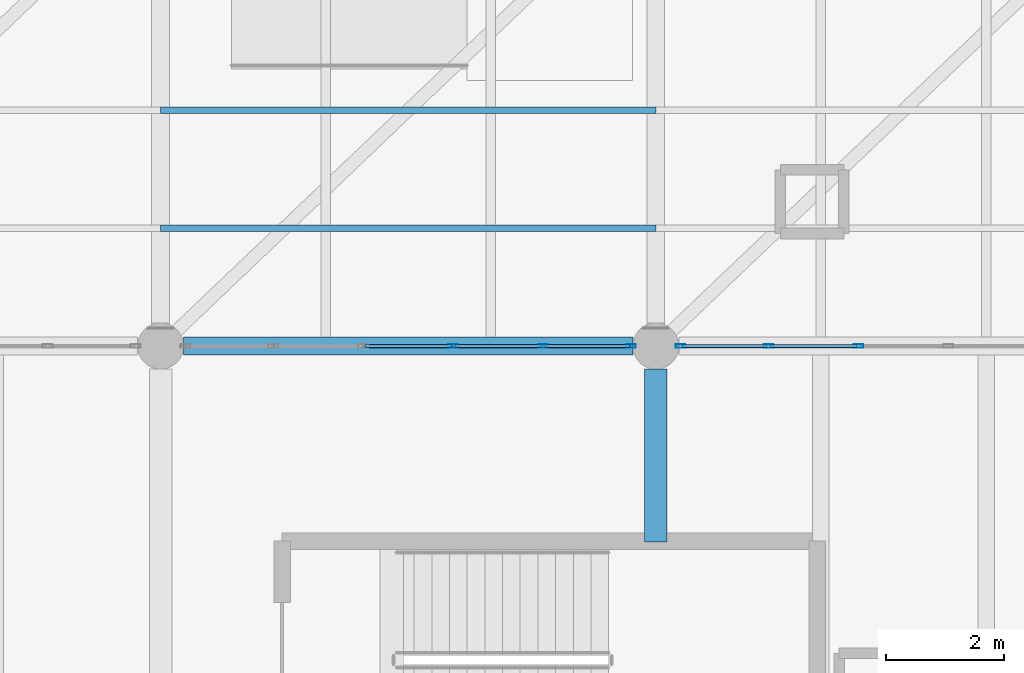
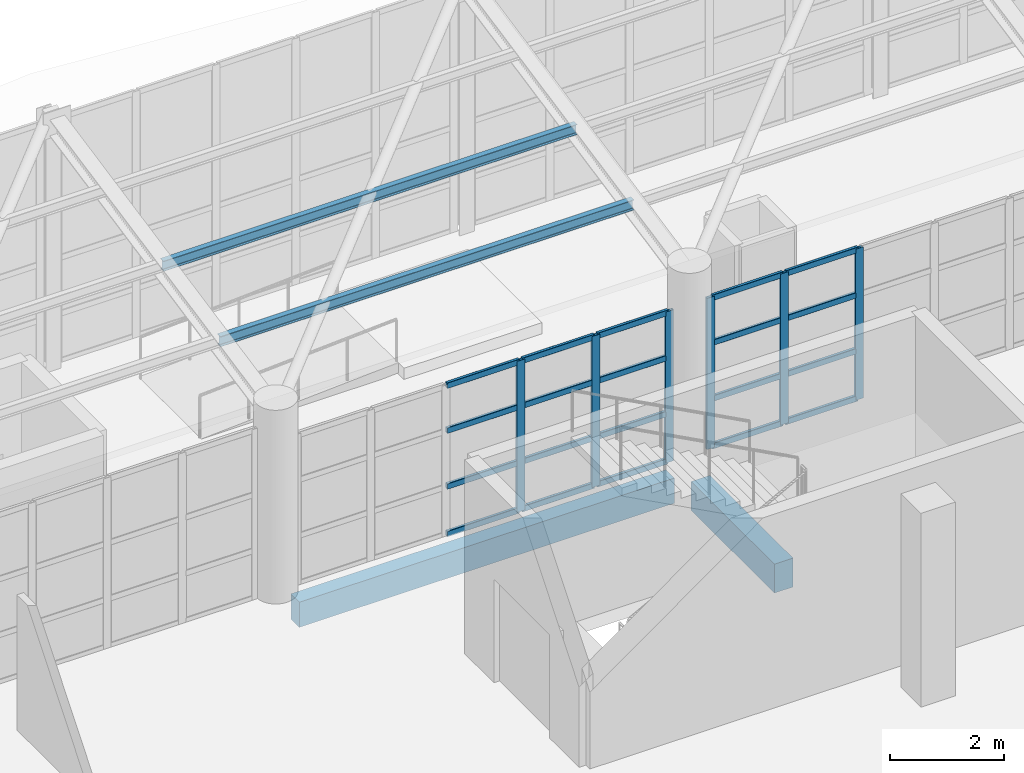
# One storey, part 97 of 177: 28 members, 2 beams, 2 elements without a shape of their own.
"""IFC4 building model written with IfcOpenShell, lengths in metres."""

from ifc_helpers import new_model, si_unit, direction, frame, origin, origin_2d, place, context, subcontext, project, spatial, rectangle, hollow_rectangle, i_section, extrude, material, layer, layer_set, material_profile, profile_set, type_object, element, aggregate, save


model = new_model("IFC4")

# Units and contexts
model_context = context("Model", 3, precision=1e-05, world=origin(), true_north=direction((0.0, 1.0)))
body_context = subcontext(model_context, "Body", "Model", "MODEL_VIEW")
ifc_project = project(units=[si_unit("LENGTHUNIT", "METRE"), si_unit("AREAUNIT", "SQUARE_METRE"), si_unit("VOLUMEUNIT", "CUBIC_METRE"), si_unit("PLANEANGLEUNIT", "RADIAN"), si_unit("MASSUNIT", "GRAM", prefix="KILO"), si_unit("THERMODYNAMICTEMPERATUREUNIT", "KELVIN"), si_unit("POWERUNIT", "WATT")], contexts=[model_context])

# Site, building, storey
site_placement = place(None, origin())
site = spatial("IfcSite", under=ifc_project, at=site_placement, CompositionType="ELEMENT")
building_placement = place(site_placement, origin())
building = spatial("IfcBuilding", under=site, at=building_placement, Name="Mavoryth Pier Ferry Terminal", CompositionType="ELEMENT")
storey_placement = place(building_placement, frame((0.0, 0.0, 5.43994140625)))
storey = spatial("IfcBuildingStorey", under=building, at=storey_placement, Name="L01", CompositionType="ELEMENT", Elevation=5.43994140625)

# Beam
ifc_material_1 = material(Name="Concrete C35/45", Category="concrete")
ifc_material_profile_1 = material_profile(ifc_material_1, rectangle(XDim=0.3798828125, YDim=0.6201171875, at=origin_2d()), Name="RC 380x620", Category="concrete")
ifc_profile_set_1 = profile_set([ifc_material_profile_1], Name="Concrete C35/45 - RC 380x620")
beam_type_1 = type_object("IfcBeamType", Name="Girder-RC-380x620", PredefinedType="BEAM", material=ifc_profile_set_1)
beam_1_placement = place(storey_placement, frame((84.0, 102.679931640625, -0.58984375), z_axis=(0.0, 1.0, 0.0), x_axis=(-1.0, 0.0, 0.0)))
element("IfcBeam", 1, at=beam_1_placement, inside=storey, type_object=beam_type_1, Name="Beam B01-BG06-0222", PredefinedType="BEAM", context=body_context, shape_type="SweptSolid", body=[
    extrude(rectangle(XDim=0.3798828125, YDim=0.6201171875, at=origin_2d()), origin(), (0.0, 0.0, 1.0), 2.93017578125),
])

# Curtain wall, members
ifc_material_2 = material(Name="Anodised Aluminium and Solar-Control Low-E Glass", Category="aluminium")
ifc_layer = layer(ifc_material_2, 0.159912109375, Name="Anodised Aluminium and Solar-Control Low-E Glass", Category="aluminium")
ifc_layer_set = layer_set([ifc_layer], Name="Anodised Aluminium and Solar-Control Low-E Glass - CW-Arrivals-Mod1400")
curtain_wall_type = type_object("IfcCurtainWallType", Name="CW-Arrivals-Mod1400", PredefinedType="USERDEFINED", material=ifc_layer_set)
curtain_wall_1_placement = place(storey_placement, origin())
curtain_wall_1 = element("IfcCurtainWall", 2, at=curtain_wall_1_placement, inside=storey, type_object=curtain_wall_type, Name="Curtain Wall CW-0122-058", ObjectType="UNITISED CURTAIN WALL", PredefinedType="USERDEFINED")
ifc_material_3 = material(Name="Anodised Aluminium EN AW-6063", Category="aluminium")
ifc_material_profile_2 = material_profile(ifc_material_3, hollow_rectangle(XDim=0.06005859375, YDim=0.1650390625, WallThickness=0.00390625, InnerFilletRadius=0.00390625, OuterFilletRadius=0.008056640625, at=origin_2d()), Name="AL-MULL 165x60x4", Category="aluminium")
ifc_profile_set_2 = profile_set([ifc_material_profile_2], Name="Anodised Aluminium EN AW-6063 - AL-MULL 165x60x4")
member_type_1 = type_object("IfcMemberType", Name="Mullion-Alum-165x60", PredefinedType="MULLION", material=ifc_profile_set_2)
member_1_placement = place(storey_placement, frame((83.580078125, 106.0, 0.0), z_axis=(0.0, 0.0, 1.0), x_axis=(0.0, -1.0, 0.0)))
member_1 = element("IfcMember", 3, at=member_1_placement, type_object=member_type_1, Name="CW04 mullion 1", PredefinedType="MULLION", context=body_context, shape_type="SweptSolid", body=[
    extrude(hollow_rectangle(XDim=0.06005859375, YDim=0.1650390625, WallThickness=0.00390625, InnerFilletRadius=0.00390625, OuterFilletRadius=0.008056640625, at=origin_2d()), origin(), (0.0, 0.0, 1.0), 3.2451171875),
])
member_2_placement = place(storey_placement, frame((82.0859375, 106.0, 0.0), z_axis=(0.0, 0.0, 1.0), x_axis=(0.0, -1.0, 0.0)))
member_2 = element("IfcMember", 4, at=member_2_placement, type_object=member_type_1, Name="CW04 mullion 2", PredefinedType="MULLION", context=body_context, shape_type="SweptSolid", body=[
    extrude(hollow_rectangle(XDim=0.06005859375, YDim=0.1650390625, WallThickness=0.00390625, InnerFilletRadius=0.00390625, OuterFilletRadius=0.008056640625, at=origin_2d()), origin(), (0.0, 0.0, 1.0), 3.2451171875),
])
member_3_placement = place(storey_placement, frame((80.56201171875, 106.0, 0.0), z_axis=(0.0, 0.0, 1.0), x_axis=(0.0, -1.0, 0.0)))
member_3 = element("IfcMember", 5, at=member_3_placement, type_object=member_type_1, Name="CW04 mullion 3", PredefinedType="MULLION", context=body_context, shape_type="SweptSolid", body=[
    extrude(hollow_rectangle(XDim=0.06005859375, YDim=0.1650390625, WallThickness=0.00390625, InnerFilletRadius=0.00390625, OuterFilletRadius=0.008056640625, at=origin_2d()), origin(), (0.0, 0.0, 1.0), 3.2451171875),
])

curtain_wall_2_placement = place(storey_placement, origin())
curtain_wall_2 = element("IfcCurtainWall", 6, at=curtain_wall_2_placement, inside=storey, type_object=curtain_wall_type, Name="Curtain Wall CW-0122-061", ObjectType="UNITISED CURTAIN WALL", PredefinedType="USERDEFINED")
member_4_placement = place(storey_placement, frame((87.43798828125, 106.0, 0.0), z_axis=(0.0, 0.0, 1.0), x_axis=(0.0, -1.0, 0.0)))
member_4 = element("IfcMember", 7, at=member_4_placement, type_object=member_type_1, Name="CW04 mullion 4", PredefinedType="MULLION", context=body_context, shape_type="SweptSolid", body=[
    extrude(hollow_rectangle(XDim=0.06005859375, YDim=0.1650390625, WallThickness=0.00390625, InnerFilletRadius=0.00390625, OuterFilletRadius=0.008056640625, at=origin_2d()), origin(), (0.0, 0.0, 1.0), 3.2451171875),
])
member_5_placement = place(storey_placement, frame((85.9140625, 106.0, 0.0), z_axis=(0.0, 0.0, 1.0), x_axis=(0.0, -1.0, 0.0)))
member_5 = element("IfcMember", 8, at=member_5_placement, type_object=member_type_1, Name="CW04 mullion 5", PredefinedType="MULLION", context=body_context, shape_type="SweptSolid", body=[
    extrude(hollow_rectangle(XDim=0.06005859375, YDim=0.1650390625, WallThickness=0.00390625, InnerFilletRadius=0.00390625, OuterFilletRadius=0.008056640625, at=origin_2d()), origin(), (0.0, 0.0, 1.0), 3.2451171875),
])
member_6_placement = place(storey_placement, frame((84.419921875, 106.0, 0.0), z_axis=(0.0, 0.0, 1.0), x_axis=(0.0, -1.0, 0.0)))
member_6 = element("IfcMember", 9, at=member_6_placement, type_object=member_type_1, Name="CW04 mullion 6", PredefinedType="MULLION", context=body_context, shape_type="SweptSolid", body=[
    extrude(hollow_rectangle(XDim=0.06005859375, YDim=0.1650390625, WallThickness=0.00390625, InnerFilletRadius=0.00390625, OuterFilletRadius=0.008056640625, at=origin_2d()), origin(), (0.0, 0.0, 1.0), 3.2451171875),
])

# Members
ifc_material_4 = material(Name="Steel S355J2", Category="steel")
ifc_material_profile_3 = material_profile(ifc_material_4, i_section(OverallWidth=0.110107421875, OverallDepth=0.219970703125, WebThickness=0.005859375, FlangeThickness=0.00927734375, FilletRadius=0.011962890625, at=origin_2d()), Name="IPE 220", Category="steel")
ifc_profile_set_3 = profile_set([ifc_material_profile_3], Name="Steel S355J2 - IPE 220")
member_type_2 = type_object("IfcMemberType", Name="Purlin-Roof-IPE220", PredefinedType="PURLIN", material=ifc_profile_set_3)
for number, where, z_axis, x_axis, name in (
    (10, (75.60009765625, 108.0, 4.17822265625), (1.0, 0.0, 0.0), (0.0, 1.0, 0.0), "Steel Member MB-L01-0262"),
    (11, (75.60009765625, 110.0, 4.5849609375), (1.0, 0.0, 0.0), (0.0, 1.0, 0.0), "Steel Member MB-L01-0263"),
):
    element("IfcMember", number, at=place(storey_placement, frame(where, z_axis=z_axis, x_axis=x_axis)), inside=storey, type_object=member_type_2, Name=name, PredefinedType="PURLIN", context=body_context, shape_type="SweptSolid", body=[
        extrude(i_section(OverallWidth=0.110107421875, OverallDepth=0.219970703125, WebThickness=0.005859375, FlangeThickness=0.00927734375, FilletRadius=0.011962890625, at=origin_2d()), origin(), (0.0, 0.0, 1.0), 8.39990234375),
    ])

# Beam
ifc_material_profile_4 = material_profile(ifc_material_1, rectangle(XDim=0.300048828125, YDim=0.5400390625, at=origin_2d()), Name="RC 300x540", Category="concrete")
ifc_profile_set_4 = profile_set([ifc_material_profile_4], Name="Concrete C35/45 - RC 300x540")
beam_type_2 = type_object("IfcBeamType", Name="Spandrel-RC-300x540", PredefinedType="SPANDREL", material=ifc_profile_set_4)
beam_2_placement = place(storey_placement, frame((75.989990234375, 106.0, -0.550048828125), z_axis=(1.0, 0.0, 0.0), x_axis=(0.0, 1.0, 0.0)))
element("IfcBeam", 12, at=beam_2_placement, inside=storey, type_object=beam_type_2, Name="Beam B01-SP02-0202", PredefinedType="SPANDREL", context=body_context, shape_type="SweptSolid", body=[
    extrude(rectangle(XDim=0.300048828125, YDim=0.5400390625, at=origin_2d()), origin(), (0.0, 0.0, 1.0), 7.6201171875),
])

# Member
ifc_material_profile_5 = material_profile(ifc_material_3, hollow_rectangle(XDim=0.06005859375, YDim=0.125, WallThickness=0.00390625, InnerFilletRadius=0.00390625, OuterFilletRadius=0.008056640625, at=origin_2d()), Name="AL-TRAN 125x60x4", Category="aluminium")
ifc_profile_set_5 = profile_set([ifc_material_profile_5], Name="Anodised Aluminium EN AW-6063 - AL-TRAN 125x60x4")
member_type_3 = type_object("IfcMemberType", Name="Transom-Alum-125x60", PredefinedType="USERDEFINED", material=ifc_profile_set_5)
member_7_placement = place(storey_placement, frame((83.550048828125, 106.0, 0.030029296875), z_axis=(-1.0, 0.0, 0.0), x_axis=(0.0, -1.0, 0.0)))
member_7 = element("IfcMember", 13, at=member_7_placement, type_object=member_type_3, Name="CW04 transom 1.1", ObjectType="TRANSOM", PredefinedType="USERDEFINED", context=body_context, shape_type="SweptSolid", body=[
    extrude(hollow_rectangle(XDim=0.06005859375, YDim=0.125, WallThickness=0.00390625, InnerFilletRadius=0.00390625, OuterFilletRadius=0.008056640625, at=origin_2d()), origin(), (0.0, 0.0, 1.0), 1.43408203125),
])

member_8_placement = place(storey_placement, frame((83.550048828125, 106.0, 1.050048828125), z_axis=(-1.0, 0.0, 0.0), x_axis=(0.0, -1.0, 0.0)))
member_8 = element("IfcMember", 14, at=member_8_placement, type_object=member_type_3, Name="CW04 transom 1.2", ObjectType="TRANSOM", PredefinedType="USERDEFINED", context=body_context, shape_type="SweptSolid", body=[
    extrude(hollow_rectangle(XDim=0.06005859375, YDim=0.125, WallThickness=0.00390625, InnerFilletRadius=0.00390625, OuterFilletRadius=0.008056640625, at=origin_2d()), origin(), (0.0, 0.0, 1.0), 1.43408203125),
])

member_9_placement = place(storey_placement, frame((83.550048828125, 106.0, 2.25), z_axis=(-1.0, 0.0, 0.0), x_axis=(0.0, -1.0, 0.0)))
member_9 = element("IfcMember", 15, at=member_9_placement, type_object=member_type_3, Name="CW04 transom 1.3", ObjectType="TRANSOM", PredefinedType="USERDEFINED", context=body_context, shape_type="SweptSolid", body=[
    extrude(hollow_rectangle(XDim=0.06005859375, YDim=0.125, WallThickness=0.00390625, InnerFilletRadius=0.00390625, OuterFilletRadius=0.008056640625, at=origin_2d()), origin(), (0.0, 0.0, 1.0), 1.43408203125),
])

member_10_placement = place(storey_placement, frame((83.550048828125, 106.0, 3.215087890625), z_axis=(-1.0, 0.0, 0.0), x_axis=(0.0, -1.0, 0.0)))
member_10 = element("IfcMember", 16, at=member_10_placement, type_object=member_type_3, Name="CW04 transom 1.4", ObjectType="TRANSOM", PredefinedType="USERDEFINED", context=body_context, shape_type="SweptSolid", body=[
    extrude(hollow_rectangle(XDim=0.06005859375, YDim=0.125, WallThickness=0.00390625, InnerFilletRadius=0.00390625, OuterFilletRadius=0.008056640625, at=origin_2d()), origin(), (0.0, 0.0, 1.0), 1.43408203125),
])

member_11_placement = place(storey_placement, frame((82.055908203125, 106.0, 0.030029296875), z_axis=(-1.0, 0.0, 0.0), x_axis=(0.0, -1.0, 0.0)))
member_11 = element("IfcMember", 17, at=member_11_placement, type_object=member_type_3, Name="CW04 transom 2.1", ObjectType="TRANSOM", PredefinedType="USERDEFINED", context=body_context, shape_type="SweptSolid", body=[
    extrude(hollow_rectangle(XDim=0.06005859375, YDim=0.125, WallThickness=0.00390625, InnerFilletRadius=0.00390625, OuterFilletRadius=0.008056640625, at=origin_2d()), origin(), (0.0, 0.0, 1.0), 1.4638671875),
])

member_12_placement = place(storey_placement, frame((82.055908203125, 106.0, 1.050048828125), z_axis=(-1.0, 0.0, 0.0), x_axis=(0.0, -1.0, 0.0)))
member_12 = element("IfcMember", 18, at=member_12_placement, type_object=member_type_3, Name="CW04 transom 2.2", ObjectType="TRANSOM", PredefinedType="USERDEFINED", context=body_context, shape_type="SweptSolid", body=[
    extrude(hollow_rectangle(XDim=0.06005859375, YDim=0.125, WallThickness=0.00390625, InnerFilletRadius=0.00390625, OuterFilletRadius=0.008056640625, at=origin_2d()), origin(), (0.0, 0.0, 1.0), 1.4638671875),
])

member_13_placement = place(storey_placement, frame((82.055908203125, 106.0, 2.25), z_axis=(-1.0, 0.0, 0.0), x_axis=(0.0, -1.0, 0.0)))
member_13 = element("IfcMember", 19, at=member_13_placement, type_object=member_type_3, Name="CW04 transom 2.3", ObjectType="TRANSOM", PredefinedType="USERDEFINED", context=body_context, shape_type="SweptSolid", body=[
    extrude(hollow_rectangle(XDim=0.06005859375, YDim=0.125, WallThickness=0.00390625, InnerFilletRadius=0.00390625, OuterFilletRadius=0.008056640625, at=origin_2d()), origin(), (0.0, 0.0, 1.0), 1.4638671875),
])

member_14_placement = place(storey_placement, frame((82.055908203125, 106.0, 3.215087890625), z_axis=(-1.0, 0.0, 0.0), x_axis=(0.0, -1.0, 0.0)))
member_14 = element("IfcMember", 20, at=member_14_placement, type_object=member_type_3, Name="CW04 transom 2.4", ObjectType="TRANSOM", PredefinedType="USERDEFINED", context=body_context, shape_type="SweptSolid", body=[
    extrude(hollow_rectangle(XDim=0.06005859375, YDim=0.125, WallThickness=0.00390625, InnerFilletRadius=0.00390625, OuterFilletRadius=0.008056640625, at=origin_2d()), origin(), (0.0, 0.0, 1.0), 1.4638671875),
])

member_15_placement = place(storey_placement, frame((80.531982421875, 106.0, 0.030029296875), z_axis=(-1.0, 0.0, 0.0), x_axis=(0.0, -1.0, 0.0)))
member_15 = element("IfcMember", 21, at=member_15_placement, type_object=member_type_3, Name="CW04 transom 3.1", ObjectType="TRANSOM", PredefinedType="USERDEFINED", context=body_context, shape_type="SweptSolid", body=[
    extrude(hollow_rectangle(XDim=0.06005859375, YDim=0.125, WallThickness=0.00390625, InnerFilletRadius=0.00390625, OuterFilletRadius=0.008056640625, at=origin_2d()), origin(), (0.0, 0.0, 1.0), 1.4638671875),
])

member_16_placement = place(storey_placement, frame((80.531982421875, 106.0, 1.050048828125), z_axis=(-1.0, 0.0, 0.0), x_axis=(0.0, -1.0, 0.0)))
member_16 = element("IfcMember", 22, at=member_16_placement, type_object=member_type_3, Name="CW04 transom 3.2", ObjectType="TRANSOM", PredefinedType="USERDEFINED", context=body_context, shape_type="SweptSolid", body=[
    extrude(hollow_rectangle(XDim=0.06005859375, YDim=0.125, WallThickness=0.00390625, InnerFilletRadius=0.00390625, OuterFilletRadius=0.008056640625, at=origin_2d()), origin(), (0.0, 0.0, 1.0), 1.4638671875),
])

member_17_placement = place(storey_placement, frame((80.531982421875, 106.0, 2.25), z_axis=(-1.0, 0.0, 0.0), x_axis=(0.0, -1.0, 0.0)))
member_17 = element("IfcMember", 23, at=member_17_placement, type_object=member_type_3, Name="CW04 transom 3.3", ObjectType="TRANSOM", PredefinedType="USERDEFINED", context=body_context, shape_type="SweptSolid", body=[
    extrude(hollow_rectangle(XDim=0.06005859375, YDim=0.125, WallThickness=0.00390625, InnerFilletRadius=0.00390625, OuterFilletRadius=0.008056640625, at=origin_2d()), origin(), (0.0, 0.0, 1.0), 1.4638671875),
])

member_18_placement = place(storey_placement, frame((80.531982421875, 106.0, 3.215087890625), z_axis=(-1.0, 0.0, 0.0), x_axis=(0.0, -1.0, 0.0)))
member_18 = element("IfcMember", 24, at=member_18_placement, type_object=member_type_3, Name="CW04 transom 3.4", ObjectType="TRANSOM", PredefinedType="USERDEFINED", context=body_context, shape_type="SweptSolid", body=[
    extrude(hollow_rectangle(XDim=0.06005859375, YDim=0.125, WallThickness=0.00390625, InnerFilletRadius=0.00390625, OuterFilletRadius=0.008056640625, at=origin_2d()), origin(), (0.0, 0.0, 1.0), 1.4638671875),
])

aggregate(curtain_wall_1, [member_1, member_2, member_3, member_7, member_8, member_9, member_10, member_11, member_12, member_13, member_14, member_15, member_16, member_17, member_18])

member_19_placement = place(storey_placement, frame((87.407958984375, 106.0, 0.030029296875), z_axis=(-1.0, 0.0, 0.0), x_axis=(0.0, -1.0, 0.0)))
member_19 = element("IfcMember", 25, at=member_19_placement, type_object=member_type_3, Name="CW04 transom 4.1", ObjectType="TRANSOM", PredefinedType="USERDEFINED", context=body_context, shape_type="SweptSolid", body=[
    extrude(hollow_rectangle(XDim=0.06005859375, YDim=0.125, WallThickness=0.00390625, InnerFilletRadius=0.00390625, OuterFilletRadius=0.008056640625, at=origin_2d()), origin(), (0.0, 0.0, 1.0), 1.4638671875),
])

member_20_placement = place(storey_placement, frame((87.407958984375, 106.0, 1.050048828125), z_axis=(-1.0, 0.0, 0.0), x_axis=(0.0, -1.0, 0.0)))
member_20 = element("IfcMember", 26, at=member_20_placement, type_object=member_type_3, Name="CW04 transom 4.2", ObjectType="TRANSOM", PredefinedType="USERDEFINED", context=body_context, shape_type="SweptSolid", body=[
    extrude(hollow_rectangle(XDim=0.06005859375, YDim=0.125, WallThickness=0.00390625, InnerFilletRadius=0.00390625, OuterFilletRadius=0.008056640625, at=origin_2d()), origin(), (0.0, 0.0, 1.0), 1.4638671875),
])

member_21_placement = place(storey_placement, frame((87.407958984375, 106.0, 2.25), z_axis=(-1.0, 0.0, 0.0), x_axis=(0.0, -1.0, 0.0)))
member_21 = element("IfcMember", 27, at=member_21_placement, type_object=member_type_3, Name="CW04 transom 4.3", ObjectType="TRANSOM", PredefinedType="USERDEFINED", context=body_context, shape_type="SweptSolid", body=[
    extrude(hollow_rectangle(XDim=0.06005859375, YDim=0.125, WallThickness=0.00390625, InnerFilletRadius=0.00390625, OuterFilletRadius=0.008056640625, at=origin_2d()), origin(), (0.0, 0.0, 1.0), 1.4638671875),
])

member_22_placement = place(storey_placement, frame((87.407958984375, 106.0, 3.215087890625), z_axis=(-1.0, 0.0, 0.0), x_axis=(0.0, -1.0, 0.0)))
member_22 = element("IfcMember", 28, at=member_22_placement, type_object=member_type_3, Name="CW04 transom 4.4", ObjectType="TRANSOM", PredefinedType="USERDEFINED", context=body_context, shape_type="SweptSolid", body=[
    extrude(hollow_rectangle(XDim=0.06005859375, YDim=0.125, WallThickness=0.00390625, InnerFilletRadius=0.00390625, OuterFilletRadius=0.008056640625, at=origin_2d()), origin(), (0.0, 0.0, 1.0), 1.4638671875),
])

member_23_placement = place(storey_placement, frame((85.884033203125, 106.0, 0.030029296875), z_axis=(-1.0, 0.0, 0.0), x_axis=(0.0, -1.0, 0.0)))
member_23 = element("IfcMember", 29, at=member_23_placement, type_object=member_type_3, Name="CW04 transom 5.1", ObjectType="TRANSOM", PredefinedType="USERDEFINED", context=body_context, shape_type="SweptSolid", body=[
    extrude(hollow_rectangle(XDim=0.06005859375, YDim=0.125, WallThickness=0.00390625, InnerFilletRadius=0.00390625, OuterFilletRadius=0.008056640625, at=origin_2d()), origin(), (0.0, 0.0, 1.0), 1.43408203125),
])

member_24_placement = place(storey_placement, frame((85.884033203125, 106.0, 1.050048828125), z_axis=(-1.0, 0.0, 0.0), x_axis=(0.0, -1.0, 0.0)))
member_24 = element("IfcMember", 30, at=member_24_placement, type_object=member_type_3, Name="CW04 transom 5.2", ObjectType="TRANSOM", PredefinedType="USERDEFINED", context=body_context, shape_type="SweptSolid", body=[
    extrude(hollow_rectangle(XDim=0.06005859375, YDim=0.125, WallThickness=0.00390625, InnerFilletRadius=0.00390625, OuterFilletRadius=0.008056640625, at=origin_2d()), origin(), (0.0, 0.0, 1.0), 1.43408203125),
])

member_25_placement = place(storey_placement, frame((85.884033203125, 106.0, 2.25), z_axis=(-1.0, 0.0, 0.0), x_axis=(0.0, -1.0, 0.0)))
member_25 = element("IfcMember", 31, at=member_25_placement, type_object=member_type_3, Name="CW04 transom 5.3", ObjectType="TRANSOM", PredefinedType="USERDEFINED", context=body_context, shape_type="SweptSolid", body=[
    extrude(hollow_rectangle(XDim=0.06005859375, YDim=0.125, WallThickness=0.00390625, InnerFilletRadius=0.00390625, OuterFilletRadius=0.008056640625, at=origin_2d()), origin(), (0.0, 0.0, 1.0), 1.43408203125),
])

member_26_placement = place(storey_placement, frame((85.884033203125, 106.0, 3.215087890625), z_axis=(-1.0, 0.0, 0.0), x_axis=(0.0, -1.0, 0.0)))
member_26 = element("IfcMember", 32, at=member_26_placement, type_object=member_type_3, Name="CW04 transom 5.4", ObjectType="TRANSOM", PredefinedType="USERDEFINED", context=body_context, shape_type="SweptSolid", body=[
    extrude(hollow_rectangle(XDim=0.06005859375, YDim=0.125, WallThickness=0.00390625, InnerFilletRadius=0.00390625, OuterFilletRadius=0.008056640625, at=origin_2d()), origin(), (0.0, 0.0, 1.0), 1.43408203125),
])

aggregate(curtain_wall_2, [member_4, member_5, member_6, member_19, member_20, member_21, member_22, member_23, member_24, member_25, member_26])

save(model, "model.ifc")
